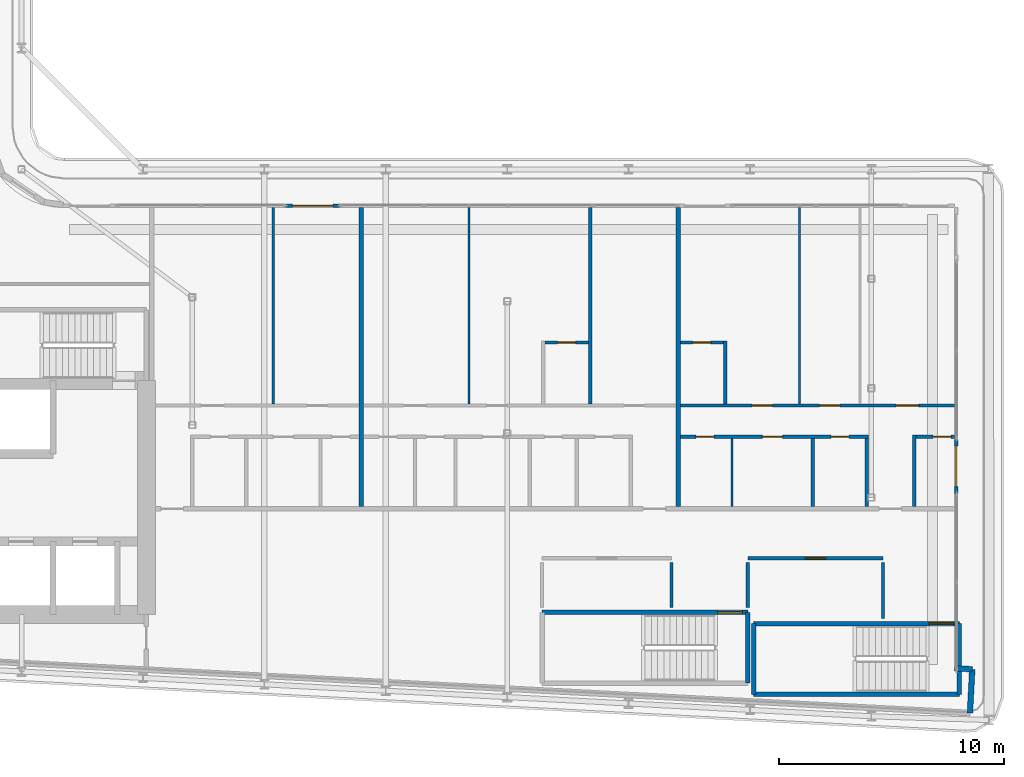
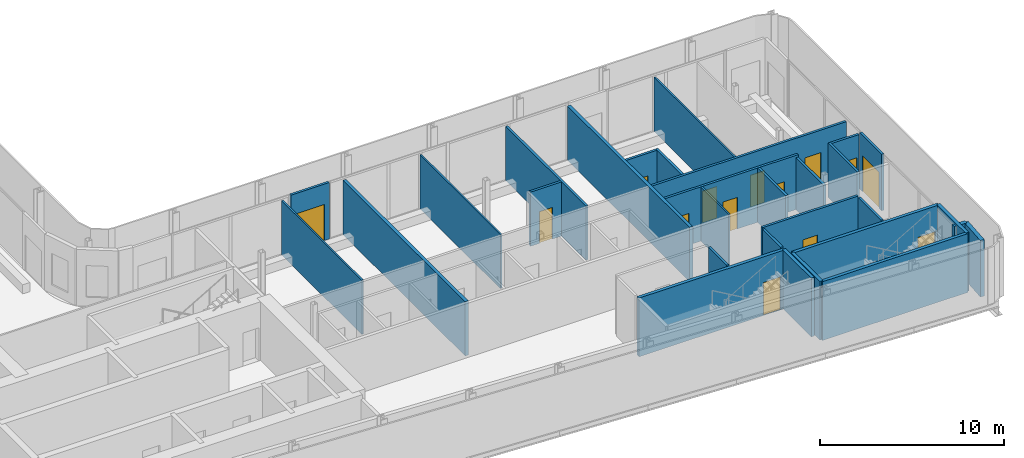
# One storey, part 15 of 26: 30 walls, 14 doors, 14 openings.
"""IFC4 building model written with IfcOpenShell, lengths in metres."""

from ifc_helpers import new_model, si_unit, direction, frame, frame_2d, origin, place, context, subcontext, project, spatial, rectangle, extrude, source, transform, mapped, material, layer, layer_set, type_object, element, fill, save


model = new_model("IFC4")

# Units and contexts
model_context = context("Model", 3, precision=1e-05, world=origin(), true_north=direction((0.0, 1.0)))
body_context = subcontext(model_context, "Body", "Model", "MODEL_VIEW")
ifc_project = project(units=[si_unit("LENGTHUNIT", "METRE"), si_unit("AREAUNIT", "SQUARE_METRE"), si_unit("VOLUMEUNIT", "CUBIC_METRE"), si_unit("PLANEANGLEUNIT", "RADIAN"), si_unit("MASSUNIT", "GRAM", prefix="KILO")], contexts=[model_context])

# Site, building, storey
site_placement = place(None, origin())
site = spatial("IfcSite", under=ifc_project, at=site_placement, CompositionType="ELEMENT")
building_placement = place(site_placement, origin())
building = spatial("IfcBuilding", under=site, at=building_placement, Name="Kheshtan School and Residences Tower", CompositionType="ELEMENT")
storey_placement = place(building_placement, frame((0.0, 0.0, 156.5)))
storey = spatial("IfcBuildingStorey", under=building, at=storey_placement, Name="L36", CompositionType="ELEMENT", Elevation=156.5)

# Walls
ifc_material_1 = material(Name="Concrete C40/50 with ceramic cladding and mineral wool insulation", Category="concrete")
ifc_layer_1 = layer(ifc_material_1, 0.25)
ifc_layer_set_1 = layer_set([ifc_layer_1], Name="External wall 250 ceramic clad")
wall_type_1 = type_object("IfcWallType", Name="External wall 250 ceramic clad", PredefinedType="SOLIDWALL", material=ifc_layer_set_1)
wall_1_placement = place(storey_placement, frame((89.10693359375, 23.407958984375, 0.0), z_axis=(0.0, 0.0, 1.0), x_axis=(0.998561284263, -0.053622398031, 0.0)))
element("IfcWall", 1, at=wall_1_placement, inside=storey, type_object=wall_type_1, Name="External wall L36 14", PredefinedType="SOLIDWALL", context=body_context, shape_type="SweptSolid", body=[
    extrude(rectangle(XDim=0.783203125, YDim=0.25, at=frame_2d((0.3916015625, 0.0))), origin(), (0.0, 0.0, 1.0), 3.75),
])
wall_2_placement = place(storey_placement, frame((89.888916015625, 23.365966796875, 0.0), z_axis=(0.0, 0.0, 1.0), x_axis=(-0.052841433274, -0.998602915542, 0.0)))
element("IfcWall", 2, at=wall_2_placement, inside=storey, type_object=wall_type_1, Name="External wall L36 15", PredefinedType="SOLIDWALL", context=body_context, shape_type="SweptSolid", body=[
    extrude(rectangle(XDim=1.94970703125, YDim=0.25, at=frame_2d((0.974853515625, 0.0))), origin(), (0.0, 0.0, 1.0), 3.75),
])

# Wall, opening, door
ifc_material_2 = material(Name="Aluminium frame wall with insulated infill", Category="aluminium")
ifc_layer_2 = layer(ifc_material_2, 0.14990234375)
ifc_layer_set_2 = layer_set([ifc_layer_2], Name="Glazing frame wall 150")
wall_type_2 = type_object("IfcWallType", Name="Glazing frame wall 150", PredefinedType="SOLIDWALL", material=ifc_layer_set_2)
wall_3_placement = place(storey_placement, frame((59.346923828125, 43.97509765625, 0.0), z_axis=(0.0, 0.0, 1.0), x_axis=(1.0, 0.0, 0.0)))
wall_3 = element("IfcWall", 3, at=wall_3_placement, inside=storey, type_object=wall_type_2, Name="Balcony door wall L36 12.2", PredefinedType="SOLIDWALL", context=body_context, shape_type="SweptSolid", body=[
    extrude(rectangle(XDim=2.401123046875, YDim=0.14990234375, at=frame_2d((1.20068359375, 0.0))), origin(), (0.0, 0.0, 1.0), 3.75),
])
opening_1_placement = place(wall_3_placement, frame((0.300048828125, 0.0, 0.0)))
opening_1 = element("IfcOpeningElement", 4, at=opening_1_placement, cuts=wall_3, Name="Opening BD", PredefinedType="OPENING", context=body_context, shape_type="SweptSolid", body=[
    extrude(rectangle(XDim=1.800048828125, YDim=2.39990234375, at=frame_2d((0.89990234375, 1.199951171875))), frame((0.0, 0.0849609375, 0.0), z_axis=(0.0, -1.0, 0.0), x_axis=(1.0, 0.0, 0.0)), (0.0, 0.0, 1.0), 0.169921875),
])
ifc_material_3 = material(Name="Clear low-e glass in thermally broken aluminium frame", Category="aluminium")
door_type_1 = type_object("IfcDoorType", Name="Balcony sliding door", OperationType="SLIDING_TO_LEFT", PredefinedType="DOOR", material=ifc_material_3)
shared_shape_1 = source(origin(), body_context, "Body", "SweptSolid", [
    extrude(rectangle(XDim=1.800048828125, YDim=2.39990234375, at=frame_2d((0.89990234375, 1.199951171875))), frame((0.0, 0.02490234375, 0.0), z_axis=(0.0, -1.0, 0.0), x_axis=(1.0, 0.0, 0.0)), (0.0, 0.0, 1.0), 0.050048828125),
])
door_1_placement = place(opening_1_placement, origin())
door_1 = element("IfcDoor", 5, at=door_1_placement, inside=storey, type_object=door_type_1, Name="Balcony door L36 12.2", OperationType="SLIDING_TO_LEFT", OverallHeight=2.39990234375, OverallWidth=1.800048828125, PredefinedType="DOOR", context=body_context, shape_type="MappedRepresentation", body=[
    mapped(shared_shape_1, transform((0.0, 0.0, 0.0), x_axis=(1.0, 0.0, 0.0), y_axis=(0.0, 1.0, 0.0), z_axis=(0.0, 0.0, 1.0), scale=1.0)),
])
fill(opening_1, door_1)

wall_4_placement = place(storey_placement, frame((89.175048828125, 33.591064453125, 0.0), z_axis=(0.0, 0.0, 1.0), x_axis=(0.0, -1.0, 0.0)))
wall_4 = element("IfcWall", 6, at=wall_4_placement, inside=storey, type_object=wall_type_2, Name="Balcony door wall L36 13.2", PredefinedType="SOLIDWALL", context=body_context, shape_type="SweptSolid", body=[
    extrude(rectangle(XDim=2.400146484375, YDim=0.14990234375, at=frame_2d((1.2001953125, 0.0))), origin(), (0.0, 0.0, 1.0), 3.75),
])
opening_2_placement = place(wall_4_placement, frame((0.300048828125, 0.0, 0.0)))
opening_2 = element("IfcOpeningElement", 7, at=opening_2_placement, cuts=wall_4, Name="Opening BD", PredefinedType="OPENING", context=body_context, shape_type="SweptSolid", body=[
    extrude(rectangle(XDim=1.800048828125, YDim=2.39990234375, at=frame_2d((0.89990234375, 1.199951171875))), frame((0.0, 0.0849609375, 0.0), z_axis=(0.0, -1.0, 0.0), x_axis=(1.0, 0.0, 0.0)), (0.0, 0.0, 1.0), 0.169921875),
])
door_2_placement = place(opening_2_placement, origin())
door_2 = element("IfcDoor", 8, at=door_2_placement, inside=storey, type_object=door_type_1, Name="Balcony door L36 13.2", OperationType="SLIDING_TO_LEFT", OverallHeight=2.39990234375, OverallWidth=1.800048828125, PredefinedType="DOOR", context=body_context, shape_type="MappedRepresentation", body=[
    mapped(shared_shape_1, transform((0.0, 0.0, 0.0), x_axis=(1.0, 0.0, 0.0), y_axis=(0.0, 1.0, 0.0), z_axis=(0.0, 0.0, 1.0), scale=1.0)),
])
fill(opening_2, door_2)

# Walls
ifc_material_4 = material(Name="Gypsum board on steel studs", Category="steel")
ifc_layer_3 = layer(ifc_material_4, 0.10009765625)
ifc_layer_set_3 = layer_set([ifc_layer_3], Name="Gypsum partition 100")
wall_type_3 = type_object("IfcWallType", Name="Gypsum partition 100", PredefinedType="PARTITIONING", material=ifc_layer_set_3)
for number, where, z_axis, x_axis, name in (
    (9, (58.800048828125, 35.175048828125, 0.0), (0.0, 0.0, 1.0), (0.0, 1.0, 0.0), "Partition L36-037"),
    (10, (67.5, 35.175048828125, 0.0), (0.0, 0.0, 1.0), (0.0, 1.0, 0.0), "Partition L36-044"),
):
    element("IfcWall", number, at=place(storey_placement, frame(where, z_axis=z_axis, x_axis=x_axis)), inside=storey, type_object=wall_type_3, Name=name, PredefinedType="PARTITIONING", context=body_context, shape_type="SweptSolid", body=[
        extrude(rectangle(XDim=8.724853515625, YDim=0.10009765625, at=frame_2d((4.3623046875, 0.0))), origin(), (0.0, 0.0, 1.0), 3.60009765625),
    ])
wall_5_placement = place(storey_placement, frame((79.199951171875, 30.60009765625, 0.0), z_axis=(0.0, 0.0, 1.0), x_axis=(0.0, 1.0, 0.0)))
element("IfcWall", 11, at=wall_5_placement, inside=storey, type_object=wall_type_3, Name="Partition L36-056", PredefinedType="PARTITIONING", context=body_context, shape_type="SweptSolid", body=[
    extrude(rectangle(XDim=3.02490234375, YDim=0.10009765625, at=frame_2d((1.512451171875, 0.0))), origin(), (0.0, 0.0, 1.0), 3.60009765625),
])
wall_6_placement = place(storey_placement, frame((82.199951171875, 35.175048828125, 0.0), z_axis=(0.0, 0.0, 1.0), x_axis=(0.0, 1.0, 0.0)))
element("IfcWall", 12, at=wall_6_placement, inside=storey, type_object=wall_type_3, Name="Partition L36-057", PredefinedType="PARTITIONING", context=body_context, shape_type="SweptSolid", body=[
    extrude(rectangle(XDim=8.724853515625, YDim=0.10009765625, at=frame_2d((4.3623046875, 0.0))), origin(), (0.0, 0.0, 1.0), 3.60009765625),
])
ifc_material_5 = material(Name="Fire-board shaft wall system")
ifc_layer_4 = layer(ifc_material_5, 0.14990234375)
ifc_layer_set_4 = layer_set([ifc_layer_4], Name="Service room wall 150")
wall_type_4 = type_object("IfcWallType", Name="Service room wall 150", PredefinedType="PARTITIONING", material=ifc_layer_set_4)
wall_7_placement = place(storey_placement, frame((76.510009765625, 26.1201171875, 0.0), z_axis=(0.0, 0.0, 1.0), x_axis=(0.0, 1.0, 0.0)))
element("IfcWall", 13, at=wall_7_placement, inside=storey, type_object=wall_type_4, Name="Service room wall", PredefinedType="PARTITIONING", context=body_context, shape_type="SweptSolid", body=[
    extrude(rectangle(XDim=1.98486328125, YDim=0.14990234375, at=frame_2d((0.992431640625, 0.0))), origin(), (0.0, 0.0, 1.0), 3.89990234375),
])

# Wall, opening, door
wall_8_placement = place(storey_placement, frame((79.909912109375, 28.300048828125, 0.0), z_axis=(0.0, 0.0, 1.0), x_axis=(1.0, 0.0, 0.0)))
wall_8 = element("IfcWall", 14, at=wall_8_placement, inside=storey, type_object=wall_type_4, Name="Service room wall", PredefinedType="PARTITIONING", context=body_context, shape_type="SweptSolid", body=[
    extrude(rectangle(XDim=6.010009765625, YDim=0.14990234375, at=frame_2d((3.0048828125, 0.0))), origin(), (0.0, 0.0, 1.0), 3.89990234375),
])
opening_3_placement = place(wall_8_placement, frame((2.554931640625, 0.0, 0.0)))
opening_3 = element("IfcOpeningElement", 15, at=opening_3_placement, cuts=wall_8, Name="Opening SR90", PredefinedType="OPENING", context=body_context, shape_type="SweptSolid", body=[
    extrude(rectangle(XDim=0.89990234375, YDim=2.199951171875, at=frame_2d((0.449951171875, 1.10009765625))), frame((0.0, 0.0849609375, 0.0), z_axis=(0.0, -1.0, 0.0), x_axis=(1.0, 0.0, 0.0)), (0.0, 0.0, 1.0), 0.169921875),
])
ifc_material_6 = material(Name="Steel door leaf, galvanised", Category="steel")
door_type_2 = type_object("IfcDoorType", Name="Service room door 900 steel 90 min", OperationType="SINGLE_SWING_LEFT", PredefinedType="DOOR", material=ifc_material_6)
shared_shape_2 = source(origin(), body_context, "Body", "SweptSolid", [
    extrude(rectangle(XDim=0.89990234375, YDim=2.199951171875, at=frame_2d((0.449951171875, 1.10009765625))), frame((0.0, 0.02490234375, 0.0), z_axis=(0.0, -1.0, 0.0), x_axis=(1.0, 0.0, 0.0)), (0.0, 0.0, 1.0), 0.050048828125),
])
door_3_placement = place(opening_3_placement, origin())
door_3 = element("IfcDoor", 16, at=door_3_placement, inside=storey, type_object=door_type_2, Name="Service room door", OperationType="SINGLE_SWING_LEFT", OverallHeight=2.199951171875, OverallWidth=0.89990234375, PredefinedType="DOOR", context=body_context, shape_type="MappedRepresentation", body=[
    mapped(shared_shape_2, transform((0.0, 0.0, 0.0), x_axis=(1.0, 0.0, 0.0), y_axis=(0.0, 1.0, 0.0), z_axis=(0.0, 0.0, 1.0), scale=1.0)),
])
fill(opening_3, door_3)

# Walls
wall_9_placement = place(storey_placement, frame((79.909912109375, 26.1201171875, 0.0), z_axis=(0.0, 0.0, 1.0), x_axis=(0.0, 1.0, 0.0)))
element("IfcWall", 17, at=wall_9_placement, inside=storey, type_object=wall_type_4, Name="Service room wall", PredefinedType="PARTITIONING", context=body_context, shape_type="SweptSolid", body=[
    extrude(rectangle(XDim=1.98486328125, YDim=0.14990234375, at=frame_2d((0.992431640625, 0.0))), origin(), (0.0, 0.0, 1.0), 3.89990234375),
])
wall_10_placement = place(storey_placement, frame((85.919921875, 25.6201171875, 0.0), z_axis=(0.0, 0.0, 1.0), x_axis=(0.0, 1.0, 0.0)))
element("IfcWall", 18, at=wall_10_placement, inside=storey, type_object=wall_type_4, Name="Service room wall", PredefinedType="PARTITIONING", context=body_context, shape_type="SweptSolid", body=[
    extrude(rectangle(XDim=2.48486328125, YDim=0.14990234375, at=frame_2d((1.242431640625, 0.0))), origin(), (0.0, 0.0, 1.0), 3.89990234375),
])
ifc_material_7 = material(Name="Concrete C40/50", Category="concrete")
ifc_layer_5 = layer(ifc_material_7, 0.199951171875)
ifc_layer_set_5 = layer_set([ifc_layer_5], Name="Stair enclosure wall 200 Concrete C40/50")
wall_type_5 = type_object("IfcWallType", Name="Stair enclosure wall 200 Concrete C40/50", PredefinedType="SHEAR", material=ifc_layer_set_5)
wall_11_placement = place(storey_placement, frame((80.159912109375, 22.25, 0.0), z_axis=(0.0, 0.0, 1.0), x_axis=(1.0, 0.0, 0.0)))
element("IfcWall", 19, at=wall_11_placement, inside=storey, type_object=wall_type_5, Name="Stair enclosure wall ST4", PredefinedType="SHEAR", context=body_context, shape_type="SweptSolid", body=[
    extrude(rectangle(XDim=9.16015625, YDim=0.199951171875, at=frame_2d((4.580078125, 0.0))), origin(), (0.0, 0.0, 1.0), 3.89990234375),
])

# Wall, opening, door
wall_12_placement = place(storey_placement, frame((80.159912109375, 25.39990234375, 0.0), z_axis=(0.0, 0.0, 1.0), x_axis=(1.0, 0.0, 0.0)))
wall_12 = element("IfcWall", 20, at=wall_12_placement, inside=storey, type_object=wall_type_5, Name="Stair enclosure wall ST4", PredefinedType="SHEAR", context=body_context, shape_type="SweptSolid", body=[
    extrude(rectangle(XDim=9.16015625, YDim=0.199951171875, at=frame_2d((4.580078125, 0.0))), origin(), (0.0, 0.0, 1.0), 3.89990234375),
])
opening_4_placement = place(wall_12_placement, frame((7.81005859375, 0.0, 0.0)))
opening_4 = element("IfcOpeningElement", 21, at=opening_4_placement, cuts=wall_12, Name="Opening ST4D", PredefinedType="OPENING", context=body_context, shape_type="SweptSolid", body=[
    extrude(rectangle(XDim=1.10009765625, YDim=2.199951171875, at=frame_2d((0.550048828125, 1.10009765625))), frame((0.0, 0.10986328125, 0.0), z_axis=(0.0, -1.0, 0.0), x_axis=(1.0, 0.0, 0.0)), (0.0, 0.0, 1.0), 0.219970703125),
])
door_type_3 = type_object("IfcDoorType", Name="Stair door 1100 steel 90 min", OperationType="SINGLE_SWING_LEFT", PredefinedType="DOOR", material=ifc_material_6)
shared_shape_3 = source(origin(), body_context, "Body", "SweptSolid", [
    extrude(rectangle(XDim=1.10009765625, YDim=2.199951171875, at=frame_2d((0.550048828125, 1.10009765625))), frame((0.0, 0.02490234375, 0.0), z_axis=(0.0, -1.0, 0.0), x_axis=(1.0, 0.0, 0.0)), (0.0, 0.0, 1.0), 0.050048828125),
])
door_4_placement = place(opening_4_placement, origin())
door_4 = element("IfcDoor", 22, at=door_4_placement, inside=storey, type_object=door_type_3, Name="Stair ST4 door", OperationType="SINGLE_SWING_LEFT", OverallHeight=2.199951171875, OverallWidth=1.10009765625, PredefinedType="DOOR", context=body_context, shape_type="MappedRepresentation", body=[
    mapped(shared_shape_3, transform((0.0, 0.0, 0.0), x_axis=(1.0, 0.0, 0.0), y_axis=(0.0, 1.0, 0.0), z_axis=(0.0, 0.0, 1.0), scale=1.0)),
])
fill(opening_4, door_4)

# Walls
for number, where, z_axis, x_axis, name in (
    (23, (80.159912109375, 22.25, 0.0), (0.0, 0.0, 1.0), (0.0, 1.0, 0.0), "Stair enclosure wall ST4"),
    (24, (89.320068359375, 22.25, 0.0), (0.0, 0.0, 1.0), (0.0, 1.0, 0.0), "Stair enclosure wall ST4"),
):
    element("IfcWall", number, at=place(storey_placement, frame(where, z_axis=z_axis, x_axis=x_axis)), inside=storey, type_object=wall_type_5, Name=name, PredefinedType="SHEAR", context=body_context, shape_type="SweptSolid", body=[
        extrude(rectangle(XDim=3.14990234375, YDim=0.199951171875, at=frame_2d((1.574951171875, 0.0))), origin(), (0.0, 0.0, 1.0), 3.89990234375),
    ])

# Wall, opening, door
wall_13_placement = place(storey_placement, frame((70.75, 25.89990234375, 0.0), z_axis=(0.0, 0.0, 1.0), x_axis=(1.0, 0.0, 0.0)))
wall_13 = element("IfcWall", 25, at=wall_13_placement, inside=storey, type_object=wall_type_5, Name="Stair enclosure wall ST5", PredefinedType="SHEAR", context=body_context, shape_type="SweptSolid", body=[
    extrude(rectangle(XDim=9.159912109375, YDim=0.199951171875, at=frame_2d((4.580078125, 0.0))), origin(), (0.0, 0.0, 1.0), 3.89990234375),
])
opening_5_placement = place(wall_13_placement, frame((7.81005859375, 0.0, 0.0)))
opening_5 = element("IfcOpeningElement", 26, at=opening_5_placement, cuts=wall_13, Name="Opening ST5D", PredefinedType="OPENING", context=body_context, shape_type="SweptSolid", body=[
    extrude(rectangle(XDim=1.10009765625, YDim=2.199951171875, at=frame_2d((0.550048828125, 1.10009765625))), frame((0.0, 0.10986328125, 0.0), z_axis=(0.0, -1.0, 0.0), x_axis=(1.0, 0.0, 0.0)), (0.0, 0.0, 1.0), 0.219970703125),
])
door_5_placement = place(opening_5_placement, origin())
door_5 = element("IfcDoor", 27, at=door_5_placement, inside=storey, type_object=door_type_3, Name="Stair ST5 door", OperationType="SINGLE_SWING_LEFT", OverallHeight=2.199951171875, OverallWidth=1.10009765625, PredefinedType="DOOR", context=body_context, shape_type="MappedRepresentation", body=[
    mapped(shared_shape_3, transform((0.0, 0.0, 0.0), x_axis=(1.0, 0.0, 0.0), y_axis=(0.0, 1.0, 0.0), z_axis=(0.0, 0.0, 1.0), scale=1.0)),
])
fill(opening_5, door_5)

# Walls
wall_14_placement = place(storey_placement, frame((79.909912109375, 22.75, 0.0), z_axis=(0.0, 0.0, 1.0), x_axis=(0.0, 1.0, 0.0)))
element("IfcWall", 28, at=wall_14_placement, inside=storey, type_object=wall_type_5, Name="Stair enclosure wall ST5", PredefinedType="SHEAR", context=body_context, shape_type="SweptSolid", body=[
    extrude(rectangle(XDim=3.14990234375, YDim=0.199951171875, at=frame_2d((1.574951171875, 0.0))), origin(), (0.0, 0.0, 1.0), 3.89990234375),
])
ifc_material_8 = material(Name="Twin gypsum board on steel studs with mineral wool", Category="steel")
ifc_layer_6 = layer(ifc_material_8, 0.199951171875)
ifc_layer_set_6 = layer_set([ifc_layer_6], Name="Unit demising wall 200")
wall_type_6 = type_object("IfcWallType", Name="Unit demising wall 200", PredefinedType="PARTITIONING", material=ifc_layer_set_6)
for number, where, z_axis, x_axis, name in (
    (29, (62.699951171875, 30.60009765625, 0.0), (0.0, 0.0, 1.0), (0.0, 1.0, 0.0), "Partition L36-039"),
    (30, (76.800048828125, 30.60009765625, 0.0), (0.0, 0.0, 1.0), (0.0, 1.0, 0.0), "Partition L36-051"),
):
    element("IfcWall", number, at=place(storey_placement, frame(where, z_axis=z_axis, x_axis=x_axis)), inside=storey, type_object=wall_type_6, Name=name, PredefinedType="PARTITIONING", context=body_context, shape_type="SweptSolid", body=[
        extrude(rectangle(XDim=13.2998046875, YDim=0.199951171875, at=frame_2d((6.64990234375, 0.0))), origin(), (0.0, 0.0, 1.0), 3.60009765625),
    ])

# Wall, opening, door
ifc_material_9 = material(Name="Moisture-resistant gypsum board on steel studs", Category="steel")
ifc_layer_7 = layer(ifc_material_9, 0.14990234375)
ifc_layer_set_7 = layer_set([ifc_layer_7], Name="Wet-room partition 150")
wall_type_7 = type_object("IfcWallType", Name="Wet-room partition 150", PredefinedType="PARTITIONING", material=ifc_layer_set_7)
wall_15_placement = place(storey_placement, frame((70.875, 37.89990234375, 0.0), z_axis=(0.0, 0.0, 1.0), x_axis=(1.0, 0.0, 0.0)))
wall_15 = element("IfcWall", 31, at=wall_15_placement, inside=storey, type_object=wall_type_7, Name="Partition L36-047", PredefinedType="PARTITIONING", context=body_context, shape_type="SweptSolid", body=[
    extrude(rectangle(XDim=1.949951171875, YDim=0.14990234375, at=frame_2d((0.97509765625, 0.0))), origin(), (0.0, 0.0, 1.0), 3.60009765625),
])
opening_6_placement = place(wall_15_placement, frame((0.574951171875, 0.0, 0.0)))
opening_6 = element("IfcOpeningElement", 32, at=opening_6_placement, cuts=wall_15, Name="Opening D35-010", PredefinedType="OPENING", context=body_context, shape_type="SweptSolid", body=[
    extrude(rectangle(XDim=0.800048828125, YDim=2.10009765625, at=frame_2d((0.39990234375, 1.050048828125))), frame((0.0, 0.0849609375, 0.0), z_axis=(0.0, -1.0, 0.0), x_axis=(1.0, 0.0, 0.0)), (0.0, 0.0, 1.0), 0.169921875),
])
ifc_material_10 = material(Name="Veneered timber door leaf", Category="wood")
door_type_4 = type_object("IfcDoorType", Name="Door 800 x 2100", OperationType="SINGLE_SWING_LEFT", PredefinedType="DOOR", material=ifc_material_10)
shared_shape_4 = source(origin(), body_context, "Body", "SweptSolid", [
    extrude(rectangle(XDim=0.800048828125, YDim=2.10009765625, at=frame_2d((0.39990234375, 1.050048828125))), frame((0.0, 0.02490234375, 0.0), z_axis=(0.0, -1.0, 0.0), x_axis=(1.0, 0.0, 0.0)), (0.0, 0.0, 1.0), 0.050048828125),
])
door_6_placement = place(opening_6_placement, origin())
door_6 = element("IfcDoor", 33, at=door_6_placement, inside=storey, type_object=door_type_4, Name="Door D35-010", OperationType="SINGLE_SWING_LEFT", OverallHeight=2.10009765625, OverallWidth=0.800048828125, PredefinedType="DOOR", context=body_context, shape_type="MappedRepresentation", body=[
    mapped(shared_shape_4, transform((0.0, 0.0, 0.0), x_axis=(1.0, 0.0, 0.0), y_axis=(0.0, 1.0, 0.0), z_axis=(0.0, 0.0, 1.0), scale=1.0)),
])
fill(opening_6, door_6)

# Wall
wall_16_placement = place(storey_placement, frame((72.89990234375, 35.175048828125, 0.0), z_axis=(0.0, 0.0, 1.0), x_axis=(0.0, 1.0, 0.0)))
element("IfcWall", 34, at=wall_16_placement, inside=storey, type_object=wall_type_7, Name="Partition L36-049", PredefinedType="PARTITIONING", context=body_context, shape_type="SweptSolid", body=[
    extrude(rectangle(XDim=8.724853515625, YDim=0.14990234375, at=frame_2d((4.3623046875, 0.0))), origin(), (0.0, 0.0, 1.0), 3.60009765625),
])

# Wall, openings, doors
wall_17_placement = place(storey_placement, frame((76.89990234375, 33.699951171875, 0.0), z_axis=(0.0, 0.0, 1.0), x_axis=(1.0, 0.0, 0.0)))
wall_17 = element("IfcWall", 35, at=wall_17_placement, inside=storey, type_object=wall_type_7, Name="Partition L36-052", PredefinedType="PARTITIONING", context=body_context, shape_type="SweptSolid", body=[
    extrude(rectangle(XDim=8.375, YDim=0.14990234375, at=frame_2d((4.1875, 0.0))), origin(), (0.0, 0.0, 1.0), 3.60009765625),
])
opening_7_placement = place(wall_17_placement, frame((6.699951171875, 0.0, 0.0)))
opening_7 = element("IfcOpeningElement", 36, at=opening_7_placement, cuts=wall_17, Name="Opening D35-017", PredefinedType="OPENING", context=body_context, shape_type="SweptSolid", body=[
    extrude(rectangle(XDim=0.800048828125, YDim=2.10009765625, at=frame_2d((0.39990234375, 1.050048828125))), frame((0.0, 0.0849609375, 0.0), z_axis=(0.0, -1.0, 0.0), x_axis=(1.0, 0.0, 0.0)), (0.0, 0.0, 1.0), 0.169921875),
])
opening_8_placement = place(wall_17_placement, frame((0.699951171875, 0.0, 0.0)))
opening_8 = element("IfcOpeningElement", 37, at=opening_8_placement, cuts=wall_17, Name="Opening D35-019", PredefinedType="OPENING", context=body_context, shape_type="SweptSolid", body=[
    extrude(rectangle(XDim=0.800048828125, YDim=2.10009765625, at=frame_2d((0.39990234375, 1.050048828125))), frame((0.0, 0.0849609375, 0.0), z_axis=(0.0, -1.0, 0.0), x_axis=(1.0, 0.0, 0.0)), (0.0, 0.0, 1.0), 0.169921875),
])
opening_9_placement = place(wall_17_placement, frame((3.64990234375, 0.0, 0.0)))
opening_9 = element("IfcOpeningElement", 38, at=opening_9_placement, cuts=wall_17, Name="Opening D35-022", PredefinedType="OPENING", context=body_context, shape_type="SweptSolid", body=[
    extrude(rectangle(XDim=0.89990234375, YDim=2.10009765625, at=frame_2d((0.449951171875, 1.050048828125))), frame((0.0, 0.0849609375, 0.0), z_axis=(0.0, -1.0, 0.0), x_axis=(1.0, 0.0, 0.0)), (0.0, 0.0, 1.0), 0.169921875),
])
door_7_placement = place(opening_7_placement, origin())
door_7 = element("IfcDoor", 39, at=door_7_placement, inside=storey, type_object=door_type_4, Name="Door D35-017", OperationType="SINGLE_SWING_RIGHT", OverallHeight=2.10009765625, OverallWidth=0.800048828125, PredefinedType="DOOR", context=body_context, shape_type="MappedRepresentation", body=[
    mapped(shared_shape_4, transform((0.0, 0.0, 0.0), x_axis=(1.0, 0.0, 0.0), y_axis=(0.0, 1.0, 0.0), z_axis=(0.0, 0.0, 1.0), scale=1.0)),
])
fill(opening_7, door_7)
door_8_placement = place(opening_8_placement, origin())
door_8 = element("IfcDoor", 40, at=door_8_placement, inside=storey, type_object=door_type_4, Name="Door D35-019", OperationType="SINGLE_SWING_RIGHT", OverallHeight=2.10009765625, OverallWidth=0.800048828125, PredefinedType="DOOR", context=body_context, shape_type="MappedRepresentation", body=[
    mapped(shared_shape_4, transform((0.0, 0.0, 0.0), x_axis=(1.0, 0.0, 0.0), y_axis=(0.0, 1.0, 0.0), z_axis=(0.0, 0.0, 1.0), scale=1.0)),
])
fill(opening_8, door_8)
door_type_5 = type_object("IfcDoorType", Name="Door 900 x 2100", OperationType="SINGLE_SWING_LEFT", PredefinedType="DOOR", material=ifc_material_10)
shared_shape_5 = source(origin(), body_context, "Body", "SweptSolid", [
    extrude(rectangle(XDim=0.89990234375, YDim=2.10009765625, at=frame_2d((0.449951171875, 1.050048828125))), frame((0.0, 0.02490234375, 0.0), z_axis=(0.0, -1.0, 0.0), x_axis=(1.0, 0.0, 0.0)), (0.0, 0.0, 1.0), 0.050048828125),
])
door_9_placement = place(opening_9_placement, origin())
door_9 = element("IfcDoor", 41, at=door_9_placement, inside=storey, type_object=door_type_5, Name="Door D35-022", OperationType="SINGLE_SWING_LEFT", OverallHeight=2.10009765625, OverallWidth=0.89990234375, PredefinedType="DOOR", context=body_context, shape_type="MappedRepresentation", body=[
    mapped(shared_shape_5, transform((0.0, 0.0, 0.0), x_axis=(1.0, 0.0, 0.0), y_axis=(0.0, 1.0, 0.0), z_axis=(0.0, 0.0, 1.0), scale=1.0)),
])
fill(opening_9, door_9)

wall_18_placement = place(storey_placement, frame((76.89990234375, 35.10009765625, 0.0), z_axis=(0.0, 0.0, 1.0), x_axis=(1.0, 0.0, 0.0)))
wall_18 = element("IfcWall", 42, at=wall_18_placement, inside=storey, type_object=wall_type_7, Name="Partition L36-053", PredefinedType="PARTITIONING", context=body_context, shape_type="SweptSolid", body=[
    extrude(rectangle(XDim=12.2001953125, YDim=0.14990234375, at=frame_2d((6.10009765625, 0.0))), origin(), (0.0, 0.0, 1.0), 3.60009765625),
])
opening_10_placement = place(wall_18_placement, frame((6.199951171875, 0.0, 0.0)))
opening_10 = element("IfcOpeningElement", 43, at=opening_10_placement, cuts=wall_18, Name="Opening D35-018", PredefinedType="OPENING", context=body_context, shape_type="SweptSolid", body=[
    extrude(rectangle(XDim=0.89990234375, YDim=2.10009765625, at=frame_2d((0.449951171875, 1.050048828125))), frame((0.0, 0.0849609375, 0.0), z_axis=(0.0, -1.0, 0.0), x_axis=(1.0, 0.0, 0.0)), (0.0, 0.0, 1.0), 0.169921875),
])
opening_11_placement = place(wall_18_placement, frame((9.60009765625, 0.0, 0.0)))
opening_11 = element("IfcOpeningElement", 44, at=opening_11_placement, cuts=wall_18, Name="Opening D35-023", PredefinedType="OPENING", context=body_context, shape_type="SweptSolid", body=[
    extrude(rectangle(XDim=1.0, YDim=2.10009765625, at=frame_2d((0.5, 1.050048828125))), frame((0.0, 0.0849609375, 0.0), z_axis=(0.0, -1.0, 0.0), x_axis=(1.0, 0.0, 0.0)), (0.0, 0.0, 1.0), 0.169921875),
])
opening_12_placement = place(wall_18_placement, frame((3.199951171875, 0.0, 0.0)))
opening_12 = element("IfcOpeningElement", 45, at=opening_12_placement, cuts=wall_18, Name="Opening D35-024", PredefinedType="OPENING", context=body_context, shape_type="SweptSolid", body=[
    extrude(rectangle(XDim=0.89990234375, YDim=2.10009765625, at=frame_2d((0.449951171875, 1.050048828125))), frame((0.0, 0.0849609375, 0.0), z_axis=(0.0, -1.0, 0.0), x_axis=(1.0, 0.0, 0.0)), (0.0, 0.0, 1.0), 0.169921875),
])
door_type_6 = type_object("IfcDoorType", Name="Door 1000 x 2100", OperationType="SINGLE_SWING_LEFT", PredefinedType="DOOR", material=ifc_material_10)
shared_shape_6 = source(origin(), body_context, "Body", "SweptSolid", [
    extrude(rectangle(XDim=1.0, YDim=2.10009765625, at=frame_2d((0.5, 1.050048828125))), frame((0.0, 0.02490234375, 0.0), z_axis=(0.0, -1.0, 0.0), x_axis=(1.0, 0.0, 0.0)), (0.0, 0.0, 1.0), 0.050048828125),
])
door_10_placement = place(opening_11_placement, origin())
door_10 = element("IfcDoor", 46, at=door_10_placement, inside=storey, type_object=door_type_6, Name="Door D35-023", OperationType="SINGLE_SWING_LEFT", OverallHeight=2.10009765625, OverallWidth=1.0, PredefinedType="DOOR", context=body_context, shape_type="MappedRepresentation", body=[
    mapped(shared_shape_6, transform((0.0, 0.0, 0.0), x_axis=(1.0, 0.0, 0.0), y_axis=(0.0, 1.0, 0.0), z_axis=(0.0, 0.0, 1.0), scale=1.0)),
])
fill(opening_11, door_10)
door_11_placement = place(opening_10_placement, origin())
door_11 = element("IfcDoor", 47, at=door_11_placement, inside=storey, type_object=door_type_5, Name="Door D35-018", OperationType="SINGLE_SWING_RIGHT", OverallHeight=2.10009765625, OverallWidth=0.89990234375, PredefinedType="DOOR", context=body_context, shape_type="MappedRepresentation", body=[
    mapped(shared_shape_5, transform((0.0, 0.0, 0.0), x_axis=(1.0, 0.0, 0.0), y_axis=(0.0, 1.0, 0.0), z_axis=(0.0, 0.0, 1.0), scale=1.0)),
])
fill(opening_10, door_11)
door_12_placement = place(opening_12_placement, origin())
door_12 = element("IfcDoor", 48, at=door_12_placement, inside=storey, type_object=door_type_5, Name="Door D35-024", OperationType="SINGLE_SWING_LEFT", OverallHeight=2.10009765625, OverallWidth=0.89990234375, PredefinedType="DOOR", context=body_context, shape_type="MappedRepresentation", body=[
    mapped(shared_shape_5, transform((0.0, 0.0, 0.0), x_axis=(1.0, 0.0, 0.0), y_axis=(0.0, 1.0, 0.0), z_axis=(0.0, 0.0, 1.0), scale=1.0)),
])
fill(opening_12, door_12)

# Wall, opening, door
wall_19_placement = place(storey_placement, frame((76.89990234375, 37.89990234375, 0.0), z_axis=(0.0, 0.0, 1.0), x_axis=(1.0, 0.0, 0.0)))
wall_19 = element("IfcWall", 49, at=wall_19_placement, inside=storey, type_object=wall_type_7, Name="Partition L36-054", PredefinedType="PARTITIONING", context=body_context, shape_type="SweptSolid", body=[
    extrude(rectangle(XDim=1.925048828125, YDim=0.14990234375, at=frame_2d((0.96240234375, 0.0))), origin(), (0.0, 0.0, 1.0), 3.60009765625),
])
opening_13_placement = place(wall_19_placement, frame((0.550048828125, 0.0, 0.0)))
opening_13 = element("IfcOpeningElement", 50, at=opening_13_placement, cuts=wall_19, Name="Opening D35-020", PredefinedType="OPENING", context=body_context, shape_type="SweptSolid", body=[
    extrude(rectangle(XDim=0.800048828125, YDim=2.10009765625, at=frame_2d((0.39990234375, 1.050048828125))), frame((0.0, 0.0849609375, 0.0), z_axis=(0.0, -1.0, 0.0), x_axis=(1.0, 0.0, 0.0)), (0.0, 0.0, 1.0), 0.169921875),
])
door_13_placement = place(opening_13_placement, origin())
door_13 = element("IfcDoor", 51, at=door_13_placement, inside=storey, type_object=door_type_4, Name="Door D35-020", OperationType="SINGLE_SWING_LEFT", OverallHeight=2.10009765625, OverallWidth=0.800048828125, PredefinedType="DOOR", context=body_context, shape_type="MappedRepresentation", body=[
    mapped(shared_shape_4, transform((0.0, 0.0, 0.0), x_axis=(1.0, 0.0, 0.0), y_axis=(0.0, 1.0, 0.0), z_axis=(0.0, 0.0, 1.0), scale=1.0)),
])
fill(opening_13, door_13)

# Walls
wall_20_placement = place(storey_placement, frame((78.89990234375, 35.175048828125, 0.0), z_axis=(0.0, 0.0, 1.0), x_axis=(0.0, 1.0, 0.0)))
element("IfcWall", 52, at=wall_20_placement, inside=storey, type_object=wall_type_7, Name="Partition L36-055", PredefinedType="PARTITIONING", context=body_context, shape_type="SweptSolid", body=[
    extrude(rectangle(XDim=2.800048828125, YDim=0.14990234375, at=frame_2d((1.39990234375, 0.0))), origin(), (0.0, 0.0, 1.0), 3.60009765625),
])
wall_21_placement = place(storey_placement, frame((82.800048828125, 30.60009765625, 0.0), z_axis=(0.0, 0.0, 1.0), x_axis=(0.0, 1.0, 0.0)))
element("IfcWall", 53, at=wall_21_placement, inside=storey, type_object=wall_type_7, Name="Partition L36-058", PredefinedType="PARTITIONING", context=body_context, shape_type="SweptSolid", body=[
    extrude(rectangle(XDim=3.02490234375, YDim=0.14990234375, at=frame_2d((1.512451171875, 0.0))), origin(), (0.0, 0.0, 1.0), 3.60009765625),
])
wall_22_placement = place(storey_placement, frame((85.199951171875, 30.60009765625, 0.0), z_axis=(0.0, 0.0, 1.0), x_axis=(0.0, 1.0, 0.0)))
element("IfcWall", 54, at=wall_22_placement, inside=storey, type_object=wall_type_7, Name="Partition L36-060", PredefinedType="PARTITIONING", context=body_context, shape_type="SweptSolid", body=[
    extrude(rectangle(XDim=3.02490234375, YDim=0.14990234375, at=frame_2d((1.512451171875, 0.0))), origin(), (0.0, 0.0, 1.0), 3.447021484375),
])
wall_23_placement = place(storey_placement, frame((87.300048828125, 30.60009765625, 0.0), z_axis=(0.0, 0.0, 1.0), x_axis=(0.0, 1.0, 0.0)))
element("IfcWall", 55, at=wall_23_placement, inside=storey, type_object=wall_type_7, Name="Partition L36-061", PredefinedType="PARTITIONING", context=body_context, shape_type="SweptSolid", body=[
    extrude(rectangle(XDim=3.1748046875, YDim=0.14990234375, at=frame_2d((1.58740234375, 0.0))), origin(), (0.0, 0.0, 1.0), 3.60009765625),
])

# Wall, opening, door
wall_24_placement = place(storey_placement, frame((87.375, 33.699951171875, 0.0), z_axis=(0.0, 0.0, 1.0), x_axis=(1.0, 0.0, 0.0)))
wall_24 = element("IfcWall", 56, at=wall_24_placement, inside=storey, type_object=wall_type_7, Name="Partition L36-062", PredefinedType="PARTITIONING", context=body_context, shape_type="SweptSolid", body=[
    extrude(rectangle(XDim=1.72509765625, YDim=0.14990234375, at=frame_2d((0.862548828125, 0.0))), origin(), (0.0, 0.0, 1.0), 3.60009765625),
])
opening_14_placement = place(wall_24_placement, frame((0.77490234375, 0.0, 0.0)))
opening_14 = element("IfcOpeningElement", 57, at=opening_14_placement, cuts=wall_24, Name="Opening D35-025", PredefinedType="OPENING", context=body_context, shape_type="SweptSolid", body=[
    extrude(rectangle(XDim=0.800048828125, YDim=2.10009765625, at=frame_2d((0.39990234375, 1.050048828125))), frame((0.0, 0.0849609375, 0.0), z_axis=(0.0, -1.0, 0.0), x_axis=(1.0, 0.0, 0.0)), (0.0, 0.0, 1.0), 0.169921875),
])
door_14_placement = place(opening_14_placement, origin())
door_14 = element("IfcDoor", 58, at=door_14_placement, inside=storey, type_object=door_type_4, Name="Door D35-025", OperationType="SINGLE_SWING_LEFT", OverallHeight=2.10009765625, OverallWidth=0.800048828125, PredefinedType="DOOR", context=body_context, shape_type="MappedRepresentation", body=[
    mapped(shared_shape_4, transform((0.0, 0.0, 0.0), x_axis=(1.0, 0.0, 0.0), y_axis=(0.0, 1.0, 0.0), z_axis=(0.0, 0.0, 1.0), scale=1.0)),
])
fill(opening_14, door_14)

save(model, "model.ifc")
